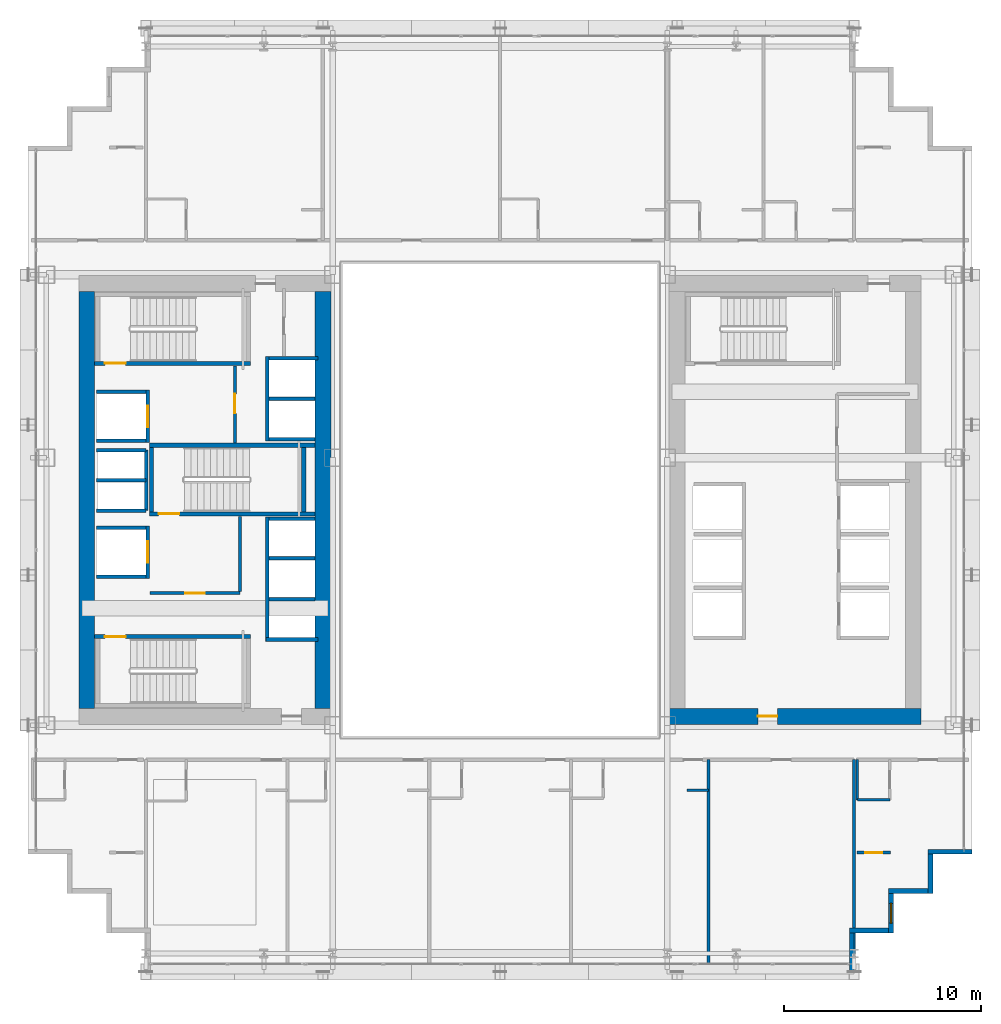
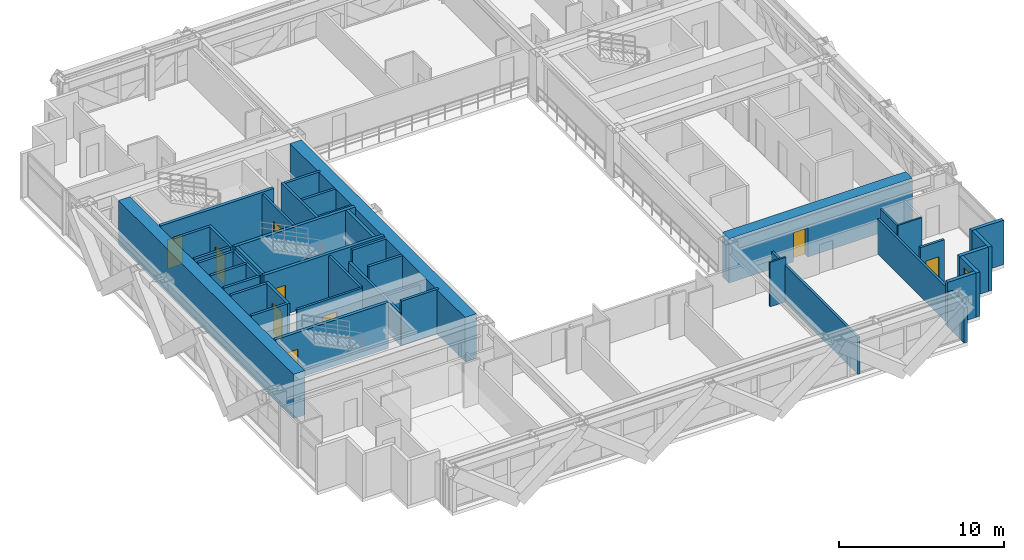
# One storey, part 28 of 35: 43 walls, 9 doors, 1 window, 10 openings.
"""IFC4 building model written with IfcOpenShell, lengths in metres."""

import ifcopenshell
import ifcopenshell.guid

model = None  # the IFC model being written
_history = None  # IfcOwnerHistory: only IFC2X3 demands one
_inside = {}  # id of a spatial element -> (the spatial element, [elements in it])
_under = {}  # id of a project, library or spatial element -> (it, [spatial elements below it])
_declared = {}  # id of a project -> (the project, [libraries it declares])
_typed = {}  # id of a type object -> (the type object, [elements of that type])
_made_of = {}  # id of a material, layer set ... -> (it, [elements and type objects made of it])


def new_model(schema):
    """Start an empty IFC model of exactly this schema.

    Asked for "IFC4X3", IfcOpenShell would pick the latest addendum, in which some entities
    have other attributes; the version numbers below select the first issue.
    IFC2X3 requires an IfcOwnerHistory on every rooted entity: one is made here for all.
    """
    global model, _history
    if schema == "IFC4X3":
        model = ifcopenshell.file(schema_version=(4, 3, 0, 0))
    else:
        model = ifcopenshell.file(schema=schema)
    _inside.clear()
    _under.clear()
    _declared.clear()
    _typed.clear()
    _made_of.clear()
    _history = None
    if model.schema == "IFC2X3":
        org = make("IfcOrganization", Name="unknown")
        user = make(
            "IfcPersonAndOrganization",
            ThePerson=make("IfcPerson", FamilyName="unknown"),
            TheOrganization=org,
        )
        app = make(
            "IfcApplication",
            ApplicationDeveloper=org,
            Version="unknown",
            ApplicationFullName="unknown",
            ApplicationIdentifier="unknown",
        )
        _history = make(
            "IfcOwnerHistory",
            OwningUser=user,
            OwningApplication=app,
            ChangeAction="ADDED",
            CreationDate=0,
        )
    return model


def make(cls, **values):
    """One entity of the class cls with the attributes given. An attribute that is None is left unset."""
    return model.create_entity(
        cls, **{name: value for name, value in values.items() if value is not None}
    )


def rooted(cls, **values):
    """An entity with a GlobalId (a new one), such as an element, a storey or a relation."""
    return make(cls, GlobalId=ifcopenshell.guid.new(), OwnerHistory=_history, **values)


def si_unit(unit_type, name, prefix=None):
    """IfcSIUnit, for example si_unit("LENGTHUNIT", "METRE", prefix="MILLI")."""
    return make("IfcSIUnit", UnitType=unit_type, Prefix=prefix, Name=name)


def assignment(units):
    """IfcUnitAssignment: the units of a project."""
    return None if units is None else make("IfcUnitAssignment", Units=units)


def point(xyz):
    """IfcCartesianPoint."""
    return None if xyz is None else make("IfcCartesianPoint", Coordinates=xyz)


def direction(xyz):
    """IfcDirection."""
    return None if xyz is None else make("IfcDirection", DirectionRatios=xyz)


def frame(location, z_axis=None, x_axis=None):
    """IfcAxis2Placement3D, a coordinate frame: its origin and axes. An axis left out is left unset."""
    return make(
        "IfcAxis2Placement3D",
        Location=point(location),
        Axis=direction(z_axis),
        RefDirection=direction(x_axis),
    )


def frame_2d(location, x_axis=None):
    """IfcAxis2Placement2D, a coordinate frame in the plane: its origin and x axis."""
    return make(
        "IfcAxis2Placement2D", Location=point(location), RefDirection=direction(x_axis)
    )


def origin():
    """The frame at (0, 0, 0) with its axes left unset."""
    return frame((0.0, 0.0, 0.0))


def place(relative_to, where):
    """IfcLocalPlacement: puts the frame where relative to a parent placement (None: the world)."""
    return make(
        "IfcLocalPlacement", PlacementRelTo=relative_to, RelativePlacement=where
    )


def context(
    kind, dimensions, precision=None, world=None, true_north=None, identifier=None
):
    """IfcGeometricRepresentationContext, for example the 3D "Model" context."""
    return make(
        "IfcGeometricRepresentationContext",
        ContextIdentifier=identifier,
        ContextType=kind,
        CoordinateSpaceDimension=dimensions,
        Precision=precision,
        WorldCoordinateSystem=world,
        TrueNorth=true_north,
    )


def subcontext(parent, identifier, kind, view, scale=None):
    """IfcGeometricRepresentationSubContext, for example "Body" below "Model"."""
    return make(
        "IfcGeometricRepresentationSubContext",
        ContextIdentifier=identifier,
        ContextType=kind,
        ParentContext=parent,
        TargetScale=scale,
        TargetView=view,
    )


def project(units=None, contexts=None):
    """IfcProject with its units and contexts."""
    return rooted(
        "IfcProject",
        Name="project",
        RepresentationContexts=contexts,
        UnitsInContext=assignment(units),
    )


def spatial(cls, under=None, at=None, **own):
    """A site, building, storey or space (cls), placed at a placement, below another one or the project."""
    s = rooted(cls, ObjectPlacement=at, **own)
    if under is not None:
        _under.setdefault(under.id(), (under, []))[1].append(s)
    return s


def profile(cls, at=None, kind="AREA", **sizes):
    """A parametric profile (cls). Its sizes go by their IFC names, for example OverallWidth=200.0."""
    return make(cls, ProfileType=kind, Position=at, **sizes)


def rectangle(**sizes):
    """IfcRectangleProfileDef."""
    return profile("IfcRectangleProfileDef", **sizes)


def extrude(swept, where, along, depth):
    """IfcExtrudedAreaSolid: the profile swept, set in the frame where, extruded along a direction by depth."""
    return make(
        "IfcExtrudedAreaSolid",
        SweptArea=swept,
        Position=where,
        ExtrudedDirection=direction(along),
        Depth=depth,
    )


def shape(context_of_items, identifier, shape_type, items):
    """IfcShapeRepresentation: the items that make up one representation, for example the "Body"."""
    return make(
        "IfcShapeRepresentation",
        ContextOfItems=context_of_items,
        RepresentationIdentifier=identifier,
        RepresentationType=shape_type,
        Items=items,
    )


def source(mapping_origin, context_of_items, identifier, shape_type, items):
    """IfcRepresentationMap: a shape defined once, which mapped items show again and again."""
    return make(
        "IfcRepresentationMap",
        MappingOrigin=mapping_origin,
        MappedRepresentation=shape(context_of_items, identifier, shape_type, items),
    )


def transform(
    local_origin,
    x_axis=None,
    y_axis=None,
    z_axis=None,
    scale=None,
    scale2=None,
    scale3=None,
    uniform=True,
):
    """IfcCartesianTransformationOperator3D, or its non-uniform kind. x_axis, y_axis, z_axis: its Axis1, 2, 3."""
    if uniform:
        return make(
            "IfcCartesianTransformationOperator3D",
            Axis1=direction(x_axis),
            Axis2=direction(y_axis),
            LocalOrigin=point(local_origin),
            Scale=scale,
            Axis3=direction(z_axis),
        )
    return make(
        "IfcCartesianTransformationOperator3DnonUniform",
        Axis1=direction(x_axis),
        Axis2=direction(y_axis),
        LocalOrigin=point(local_origin),
        Scale=scale,
        Axis3=direction(z_axis),
        Scale2=scale2,
        Scale3=scale3,
    )


def mapped(mapping_source, mapping_target):
    """IfcMappedItem: shows the shape of a source again, moved by a transform."""
    return make(
        "IfcMappedItem", MappingSource=mapping_source, MappingTarget=mapping_target
    )


def material(Name=None, Category=None):
    """IfcMaterial."""
    return make("IfcMaterial", Name=Name, Category=Category)


def layer(
    of_material, thickness, ventilated=None, Name=None, Category=None, Priority=None
):
    """IfcMaterialLayer: one layer of a wall or slab, of a material (None: an air gap)."""
    return make(
        "IfcMaterialLayer",
        Material=of_material,
        LayerThickness=thickness,
        IsVentilated=ventilated,
        Name=Name,
        Category=Category,
        Priority=Priority,
    )


def layer_set(layers, Name=None):
    """IfcMaterialLayerSet."""
    return make("IfcMaterialLayerSet", MaterialLayers=layers, LayerSetName=Name)


def made_of(thing, what):
    """Note that an element or type object is made of a material, layer set ...; save() writes the relation."""
    if what is not None:
        _made_of.setdefault(what.id(), (what, []))[1].append(thing)
    return thing


def type_object(cls, material=None, **own):
    """A type object (cls), such as IfcWallType, which elements share."""
    return made_of(rooted(cls, **own), material)


def element(
    cls,
    number,
    at=None,
    inside=None,
    cuts=None,
    type_object=None,
    material=None,
    context=None,
    identifier="Body",
    shape_type=None,
    held_by="IfcProductDefinitionShape",
    body=None,
    shapes=None,
    **own,
):
    """One element of the class cls, such as IfcWall. Its Tag is "e" and its number.

    at: its placement. inside: the storey or other place that contains it. cuts: it is an
    opening in that element (IfcRelVoidsElement). A single representation is given by context,
    identifier, shape_type and body (its items); several are given by shapes. held_by: the class
    of the entity that holds the representations. save() writes the other relations.
    """
    e = rooted(cls, Tag="e%d" % number, ObjectPlacement=at, **own)
    if body is not None:
        shapes = [shape(context, identifier, shape_type, body)]
    if shapes is not None:
        e.Representation = make(held_by, Representations=shapes)
    if inside is not None:
        _inside.setdefault(inside.id(), (inside, []))[1].append(e)
    if cuts is not None:
        rooted(
            "IfcRelVoidsElement", RelatingBuildingElement=cuts, RelatedOpeningElement=e
        )
    if type_object is not None:
        _typed.setdefault(type_object.id(), (type_object, []))[1].append(e)
    return made_of(e, material)


def fill(opening, filler):
    """IfcRelFillsElement: the door or window that sits in an opening."""
    return rooted(
        "IfcRelFillsElement",
        RelatingOpeningElement=opening,
        RelatedBuildingElement=filler,
    )


def aggregate(whole, parts):
    """IfcRelAggregates: a whole, such as a stair, and the parts it consists of."""
    return rooted("IfcRelAggregates", RelatingObject=whole, RelatedObjects=parts)


def save(model, path):
    """Write the relations noted so far, then the file.

    IfcRelAggregates (storeys below a building ...), IfcRelContainedInSpatialStructure (elements
    in a storey), IfcRelDefinesByType, IfcRelAssociatesMaterial and IfcRelDeclares: one each for
    every whole, place, type object, material and project.
    """
    for whole, parts in _under.values():
        aggregate(whole, parts)
    for where, things in _inside.values():
        rooted(
            "IfcRelContainedInSpatialStructure",
            RelatedElements=things,
            RelatingStructure=where,
        )
    for kind, things in _typed.values():
        rooted("IfcRelDefinesByType", RelatedObjects=things, RelatingType=kind)
    for what, things in _made_of.values():
        rooted("IfcRelAssociatesMaterial", RelatedObjects=things, RelatingMaterial=what)
    for by, libraries in _declared.values():
        rooted("IfcRelDeclares", RelatingContext=by, RelatedDefinitions=libraries)
    model.write(path)


model = new_model("IFC4")

# Units and contexts
model_context = context("Model", 3, precision=1e-05, world=origin(), true_north=direction((0.0, 1.0)))
body_context = subcontext(model_context, "Body", "Model", "MODEL_VIEW")
ifc_project = project(units=[si_unit("LENGTHUNIT", "METRE"), si_unit("AREAUNIT", "SQUARE_METRE"), si_unit("VOLUMEUNIT", "CUBIC_METRE"), si_unit("PLANEANGLEUNIT", "RADIAN"), si_unit("MASSUNIT", "GRAM", prefix="KILO")], contexts=[model_context])

# Site, building, storey
site_placement = place(None, origin())
site = spatial("IfcSite", under=ifc_project, at=site_placement, CompositionType="ELEMENT")
building_placement = place(site_placement, origin())
building = spatial("IfcBuilding", under=site, at=building_placement, Name="Ocotamira Hotel", CompositionType="ELEMENT")
storey_placement = place(building_placement, frame((0.0, 0.0, 81.60009765625)))
storey = spatial("IfcBuildingStorey", under=building, at=storey_placement, Name="L20", CompositionType="ELEMENT", Elevation=81.60009765625)

# Walls
ifc_material_1 = material(Name="Concrete C60/75", Category="concrete")
ifc_layer_1 = layer(ifc_material_1, 0.800048828125)
ifc_layer_set_1 = layer_set([ifc_layer_1], Name="Concrete C60/75")
wall_type_1 = type_object("IfcWallType", Name="WL-CORE-800", PredefinedType="SHEAR", material=ifc_layer_set_1)
for number, where, z_axis, x_axis, name in (
    (1, (11.0, 15.39990234375, 0.0), (0.0, 0.0, 1.0), (0.0, 1.0, 0.0), "L20 Shear Core Wall WCORE-W"),
    (2, (23.0, 15.39990234375, 0.0), (0.0, 0.0, 1.0), (0.0, 1.0, 0.0), "L20 Shear Core Wall WCORE-E"),
):
    element("IfcWall", number, at=place(storey_placement, frame(where, z_axis=z_axis, x_axis=x_axis)), inside=storey, type_object=wall_type_1, Name=name, PredefinedType="SHEAR", context=body_context, shape_type="SweptSolid", body=[
        extrude(rectangle(XDim=21.2001953125, YDim=0.800048828125, at=frame_2d((10.60009765625, 0.0))), origin(), (0.0, 0.0, 1.0), 3.27978515625),
    ])

# Wall, opening, door
wall_1_placement = place(storey_placement, frame((40.60009765625, 15.0, 0.0), z_axis=(0.0, 0.0, 1.0), x_axis=(1.0, 0.0, 0.0)))
wall_1 = element("IfcWall", 3, at=wall_1_placement, inside=storey, type_object=wall_type_1, Name="L20 Shear Core Wall ECORE-S", PredefinedType="SHEAR", context=body_context, shape_type="SweptSolid", body=[
    extrude(rectangle(XDim=12.7998046875, YDim=0.800048828125, at=frame_2d((6.39990234375, 0.0))), origin(), (0.0, 0.0, 1.0), 3.27978515625),
])
opening_1_placement = place(wall_1_placement, frame((4.5, 0.0, 0.0)))
opening_1 = element("IfcOpeningElement", 4, at=opening_1_placement, cuts=wall_1, Name="Opening D-FR2", PredefinedType="OPENING", context=body_context, shape_type="SweptSolid", body=[
    extrude(rectangle(XDim=1.0, YDim=2.14990234375, at=frame_2d((0.5, 1.074951171875))), frame((0.0, 0.41015625, 0.0), z_axis=(0.0, -1.0, 0.0), x_axis=(1.0, 0.0, 0.0)), (0.0, 0.0, 1.0), 0.820068359375),
])
ifc_material_2 = material(Name="Fire-rated acoustic timber-veneer door", Category="wood")
door_type_1 = type_object("IfcDoorType", Name="DR-FIRE-1000", OperationType="NOTDEFINED", PredefinedType="DOOR", material=ifc_material_2)
shared_shape_1 = source(origin(), body_context, "Body", "SweptSolid", [
    extrude(rectangle(XDim=1.0, YDim=2.14990234375, at=frame_2d((0.5, 1.074951171875))), frame((0.0, 0.02490234375, 0.0), z_axis=(0.0, -1.0, 0.0), x_axis=(1.0, 0.0, 0.0)), (0.0, 0.0, 1.0), 0.050048828125),
])
door_1_placement = place(opening_1_placement, origin())
door_1 = element("IfcDoor", 5, at=door_1_placement, inside=storey, type_object=door_type_1, Name="L20 Door ID-L20-ELOB-S-D [ID-L20-ELOB-S-D]", OperationType="SINGLE_SWING_RIGHT", OverallHeight=2.14990234375, OverallWidth=1.0, PredefinedType="DOOR", context=body_context, shape_type="MappedRepresentation", body=[
    mapped(shared_shape_1, transform((0.0, 0.0, 0.0), scale=1.0)),
])
fill(opening_1, door_1)

# Walls
ifc_material_3 = material(Name="Precast concrete C45/55", Category="concrete")
ifc_layer_2 = layer(ifc_material_3, 0.25)
ifc_layer_set_2 = layer_set([ifc_layer_2], Name="Precast concrete C45/55")
wall_type_2 = type_object("IfcWallType", Name="WL-EXT-SER-250", PredefinedType="SOLIDWALL", material=ifc_layer_set_2)
wall_2_placement = place(storey_placement, frame((49.875, 2.0, 0.0), z_axis=(0.0, 0.0, 1.0), x_axis=(0.0, 1.0, 0.0)))
element("IfcWall", 6, at=wall_2_placement, inside=storey, type_object=wall_type_2, Name="L20 Serrated Corner Wall 01", PredefinedType="SOLIDWALL", context=body_context, shape_type="SweptSolid", body=[
    extrude(rectangle(XDim=2.0, YDim=0.25, at=frame_2d((1.0, 0.0))), origin(), (0.0, 0.0, 1.0), 2.5869140625),
])
wall_3_placement = place(storey_placement, frame((49.75, 4.125, 0.0), z_axis=(0.0, 0.0, 1.0), x_axis=(1.0, 0.0, 0.0)))
element("IfcWall", 7, at=wall_3_placement, inside=storey, type_object=wall_type_2, Name="L20 Serrated Corner Wall 02", PredefinedType="SOLIDWALL", context=body_context, shape_type="SweptSolid", body=[
    extrude(rectangle(XDim=2.0, YDim=0.25, at=frame_2d((1.0, 0.0))), origin(), (0.0, 0.0, 1.0), 3.27978515625),
])

# Wall, opening, window
wall_4_placement = place(storey_placement, frame((51.875, 4.0, 0.0), z_axis=(0.0, 0.0, 1.0), x_axis=(0.0, 1.0, 0.0)))
wall_4 = element("IfcWall", 8, at=wall_4_placement, inside=storey, type_object=wall_type_2, Name="L20 Serrated Corner Wall 03", PredefinedType="SOLIDWALL", context=body_context, shape_type="SweptSolid", body=[
    extrude(rectangle(XDim=2.0, YDim=0.25, at=frame_2d((1.0, 0.0))), origin(), (0.0, 0.0, 1.0), 3.27978515625),
])
opening_2_placement = place(wall_4_placement, frame((0.5, 0.0, 0.85009765625)))
opening_2 = element("IfcOpeningElement", 9, at=opening_2_placement, cuts=wall_4, Name="Opening WN-2", PredefinedType="OPENING", context=body_context, shape_type="SweptSolid", body=[
    extrude(rectangle(XDim=1.0, YDim=1.89990234375, at=frame_2d((0.5, 0.949951171875))), frame((0.0, 0.135009765625, 0.0), z_axis=(0.0, -1.0, 0.0), x_axis=(1.0, 0.0, 0.0)), (0.0, 0.0, 1.0), 0.27001953125),
])
ifc_material_4 = material(Name="Double-silver low-E solar glass", Category="glass")
window_type = type_object("IfcWindowType", Name="WIN-SER-1100", PartitioningType="SINGLE_PANEL", PredefinedType="WINDOW", material=ifc_material_4)
shared_shape_2 = source(origin(), body_context, "Body", "SweptSolid", [
    extrude(rectangle(XDim=1.0, YDim=1.89990234375, at=frame_2d((0.5, 0.949951171875))), frame((0.0, 0.030029296875, 0.0), z_axis=(0.0, -1.0, 0.0), x_axis=(1.0, 0.0, 0.0)), (0.0, 0.0, 1.0), 0.06005859375),
])
window_placement = place(opening_2_placement, origin())
window = element("IfcWindow", 10, at=window_placement, inside=storey, type_object=window_type, Name="L20 Serrated Corner Window 03", OverallHeight=1.89990234375, OverallWidth=1.0, PartitioningType="SINGLE_PANEL", PredefinedType="WINDOW", context=body_context, shape_type="MappedRepresentation", body=[
    mapped(shared_shape_2, transform((0.0, 0.0, 0.0), scale=1.0)),
])
fill(opening_2, window)

# Walls
for number, where, z_axis, x_axis, name in (
    (11, (51.75, 6.125, 0.0), (0.0, 0.0, 1.0), (1.0, 0.0, 0.0), "L20 Serrated Corner Wall 04"),
    (12, (53.875, 6.0, 0.0), (0.0, 0.0, 1.0), (0.0, 1.0, 0.0), "L20 Serrated Corner Wall 05"),
):
    element("IfcWall", number, at=place(storey_placement, frame(where, z_axis=z_axis, x_axis=x_axis)), inside=storey, type_object=wall_type_2, Name=name, PredefinedType="SOLIDWALL", context=body_context, shape_type="SweptSolid", body=[
        extrude(rectangle(XDim=2.0, YDim=0.25, at=frame_2d((1.0, 0.0))), origin(), (0.0, 0.0, 1.0), 3.27978515625),
    ])
wall_5_placement = place(storey_placement, frame((53.75, 8.125, 0.0), z_axis=(0.0, 0.0, 1.0), x_axis=(1.0, 0.0, 0.0)))
element("IfcWall", 13, at=wall_5_placement, inside=storey, type_object=wall_type_2, Name="L20 Serrated Corner Wall 06", PredefinedType="SOLIDWALL", context=body_context, shape_type="SweptSolid", body=[
    extrude(rectangle(XDim=2.25, YDim=0.25, at=frame_2d((1.125, 0.0))), origin(), (0.0, 0.0, 1.0), 3.27978515625),
])

# Wall, opening, door
ifc_material_5 = material(Name="Acoustic double-layer fire gypsum board partition", Category="gypsum")
ifc_layer_3 = layer(ifc_material_5, 0.159912109375)
ifc_layer_set_3 = layer_set([ifc_layer_3], Name="Acoustic double-layer fire gypsum board partition")
wall_type_3 = type_object("IfcWallType", Name="WL-FIRE-160", PredefinedType="PARTITIONING", material=ifc_layer_set_3)
wall_6_placement = place(storey_placement, frame((14.199951171875, 21.27001953125, 0.0), z_axis=(0.0, 0.0, 1.0), x_axis=(1.0, 0.0, 0.0)))
wall_6 = element("IfcWall", 14, at=wall_6_placement, inside=storey, type_object=wall_type_3, Name="L20 Interior Wall PW-L20-FSAE1-S", PredefinedType="PARTITIONING", context=body_context, shape_type="SweptSolid", body=[
    extrude(rectangle(XDim=4.580078125, YDim=0.159912109375, at=frame_2d((2.2900390625, 0.0))), origin(), (0.0, 0.0, 1.0), 3.27978515625),
])
opening_3_placement = place(wall_6_placement, frame((1.800048828125, 0.0, 0.0)))
opening_3 = element("IfcOpeningElement", 15, at=opening_3_placement, cuts=wall_6, Name="Opening D-FR2", PredefinedType="OPENING", context=body_context, shape_type="SweptSolid", body=[
    extrude(rectangle(XDim=1.0, YDim=2.14990234375, at=frame_2d((0.5, 1.074951171875))), frame((0.0, 0.08984375, 0.0), z_axis=(0.0, -1.0, 0.0), x_axis=(1.0, 0.0, 0.0)), (0.0, 0.0, 1.0), 0.179931640625),
])
door_2_placement = place(opening_3_placement, origin())
door_2 = element("IfcDoor", 16, at=door_2_placement, inside=storey, type_object=door_type_1, Name="L20 Door ID-L20-FSAE1-D [ID-L20-FSAE1-D]", OperationType="SINGLE_SWING_LEFT", OverallHeight=2.14990234375, OverallWidth=1.0, PredefinedType="DOOR", context=body_context, shape_type="MappedRepresentation", body=[
    mapped(shared_shape_1, transform((0.0, 0.0, 0.0), scale=1.0)),
])
fill(opening_3, door_2)

# Wall
wall_7_placement = place(storey_placement, frame((18.780029296875, 21.35009765625, 0.0), z_axis=(0.0, 0.0, 1.0), x_axis=(0.0, 1.0, 0.0)))
element("IfcWall", 17, at=wall_7_placement, inside=storey, type_object=wall_type_3, Name="L20 Interior Wall PW-L20-FSAE1-E", PredefinedType="PARTITIONING", context=body_context, shape_type="SweptSolid", body=[
    extrude(rectangle(XDim=3.809814453125, YDim=0.159912109375, at=frame_2d((1.90478515625, 0.0))), origin(), (0.0, 0.0, 1.0), 3.27978515625),
])

# Wall, opening, door
wall_8_placement = place(storey_placement, frame((18.530029296875, 28.89990234375, 0.0), z_axis=(0.0, 0.0, 1.0), x_axis=(0.0, 1.0, 0.0)))
wall_8 = element("IfcWall", 18, at=wall_8_placement, inside=storey, type_object=wall_type_3, Name="L20 Interior Wall PW-L20-FSAE2-E", PredefinedType="PARTITIONING", context=body_context, shape_type="SweptSolid", body=[
    extrude(rectangle(XDim=3.900146484375, YDim=0.159912109375, at=frame_2d((1.9501953125, 0.0))), origin(), (0.0, 0.0, 1.0), 3.27978515625),
])
opening_4_placement = place(wall_8_placement, frame((1.5, 0.0, 0.0)))
opening_4 = element("IfcOpeningElement", 19, at=opening_4_placement, cuts=wall_8, Name="Opening D-FR2", PredefinedType="OPENING", context=body_context, shape_type="SweptSolid", body=[
    extrude(rectangle(XDim=1.0, YDim=2.14990234375, at=frame_2d((0.5, 1.074951171875))), frame((0.0, 0.08984375, 0.0), z_axis=(0.0, -1.0, 0.0), x_axis=(1.0, 0.0, 0.0)), (0.0, 0.0, 1.0), 0.179931640625),
])
door_3_placement = place(opening_4_placement, origin())
door_3 = element("IfcDoor", 20, at=door_3_placement, inside=storey, type_object=door_type_1, Name="L20 Door ID-L20-FSAE2-D [ID-L20-FSAE2-D]", OperationType="SINGLE_SWING_RIGHT", OverallHeight=2.14990234375, OverallWidth=1.0, PredefinedType="DOOR", context=body_context, shape_type="MappedRepresentation", body=[
    mapped(shared_shape_1, transform((0.0, 0.0, 0.0), scale=1.0)),
])
fill(opening_4, door_3)

wall_9_placement = place(storey_placement, frame((50.14990234375, 8.080078125, 0.0), z_axis=(0.0, 0.0, 1.0), x_axis=(1.0, 0.0, 0.0)))
wall_9 = element("IfcWall", 21, at=wall_9_placement, inside=storey, type_object=wall_type_3, Name="L20 Interior Wall PW-L20-Z1E-CSE2-CW", PredefinedType="PARTITIONING", context=body_context, shape_type="SweptSolid", body=[
    extrude(rectangle(XDim=1.7001953125, YDim=0.159912109375, at=frame_2d((0.85009765625, 0.0))), origin(), (0.0, 0.0, 1.0), 3.27978515625),
])
opening_5_placement = place(wall_9_placement, frame((0.409912109375, 0.0, 0.0)))
opening_5 = element("IfcOpeningElement", 22, at=opening_5_placement, cuts=wall_9, Name="Opening D-SV2", PredefinedType="OPENING", context=body_context, shape_type="SweptSolid", body=[
    extrude(rectangle(XDim=0.8798828125, YDim=2.14990234375, at=frame_2d((0.43994140625, 1.074951171875))), frame((0.0, 0.08984375, 0.0), z_axis=(0.0, -1.0, 0.0), x_axis=(1.0, 0.0, 0.0)), (0.0, 0.0, 1.0), 0.179931640625),
])
ifc_material_6 = material(Name="Fire-rated painted steel service door", Category="steel")
door_type_2 = type_object("IfcDoorType", Name="DR-SERV-880", OperationType="NOTDEFINED", PredefinedType="DOOR", material=ifc_material_6)
shared_shape_3 = source(origin(), body_context, "Body", "SweptSolid", [
    extrude(rectangle(XDim=0.8798828125, YDim=2.14990234375, at=frame_2d((0.43994140625, 1.074951171875))), frame((0.0, 0.02490234375, 0.0), z_axis=(0.0, -1.0, 0.0), x_axis=(1.0, 0.0, 0.0)), (0.0, 0.0, 1.0), 0.050048828125),
])
door_4_placement = place(opening_5_placement, origin())
door_4 = element("IfcDoor", 23, at=door_4_placement, inside=storey, type_object=door_type_2, Name="L20 Door ID-L20-Z1E-CSE2-CD [ID-L20-Z1E-CSE2-CD]", OperationType="SINGLE_SWING_LEFT", OverallHeight=2.14990234375, OverallWidth=0.8798828125, PredefinedType="DOOR", context=body_context, shape_type="MappedRepresentation", body=[
    mapped(shared_shape_3, transform((0.0, 0.0, 0.0), scale=1.0)),
])
fill(opening_5, door_4)

# Walls
ifc_material_7 = material(Name="Moisture-resistant en-suite tile and gypsum partition", Category="gypsum")
ifc_layer_4 = layer(ifc_material_7, 0.1201171875)
ifc_layer_set_4 = layer_set([ifc_layer_4], Name="Moisture-resistant en-suite tile and gypsum partition")
wall_type_4 = type_object("IfcWallType", Name="WL-PART-120", PredefinedType="PARTITIONING", material=ifc_layer_set_4)
wall_10_placement = place(storey_placement, frame((50.159912109375, 10.760009765625, 0.0), z_axis=(0.0, 0.0, 1.0), x_axis=(0.0, 1.0, 0.0)))
element("IfcWall", 24, at=wall_10_placement, inside=storey, type_object=wall_type_4, Name="L20 Interior Wall PW-L20-Z1E-CSE-BW", PredefinedType="PARTITIONING", context=body_context, shape_type="SweptSolid", body=[
    extrude(rectangle(XDim=2.0400390625, YDim=0.1201171875, at=frame_2d((1.02001953125, 0.0))), origin(), (0.0, 0.0, 1.0), 3.27978515625),
])
wall_11_placement = place(storey_placement, frame((50.159912109375, 10.760009765625, 0.0), z_axis=(0.0, 0.0, 1.0), x_axis=(1.0, 0.0, 0.0)))
element("IfcWall", 25, at=wall_11_placement, inside=storey, type_object=wall_type_4, Name="L20 Interior Wall PW-L20-Z1E-CSE-BH", PredefinedType="PARTITIONING", context=body_context, shape_type="SweptSolid", body=[
    extrude(rectangle(XDim=1.650146484375, YDim=0.1201171875, at=frame_2d((0.8251953125, 0.0))), origin(), (0.0, 0.0, 1.0), 3.27978515625),
])
wall_12_placement = place(storey_placement, frame((41.5, 11.25, 0.0), z_axis=(0.0, 0.0, 1.0), x_axis=(1.0, 0.0, 0.0)))
element("IfcWall", 26, at=wall_12_placement, inside=storey, type_object=wall_type_4, Name="L20 Interior Wall PW-L20-Z1ES-DRN4", PredefinedType="PARTITIONING", context=body_context, shape_type="SweptSolid", body=[
    extrude(rectangle(XDim=1.10009765625, YDim=0.1201171875, at=frame_2d((0.550048828125, 0.0))), origin(), (0.0, 0.0, 1.0), 3.27978515625),
])
ifc_material_8 = material(Name="Acoustic double-stud hospitality gypsum partition", Category="gypsum")
ifc_layer_5 = layer(ifc_material_8, 0.159912109375)
ifc_layer_set_5 = layer_set([ifc_layer_5], Name="Acoustic double-stud hospitality gypsum partition")
wall_type_5 = type_object("IfcWallType", Name="WL-PART-160", PredefinedType="PARTITIONING", material=ifc_layer_set_5)
wall_13_placement = place(storey_placement, frame((50.0, 2.360107421875, 0.0), z_axis=(0.0, 0.0, 1.0), x_axis=(0.0, 1.0, 0.0)))
element("IfcWall", 27, at=wall_13_placement, inside=storey, type_object=wall_type_5, Name="L20 Interior Wall PW-L20-Z1ES-PWEND", PredefinedType="PARTITIONING", context=body_context, shape_type="SweptSolid", body=[
    extrude(rectangle(XDim=10.43994140625, YDim=0.159912109375, at=frame_2d((5.219970703125, 0.0))), origin(), (0.0, 0.0, 1.0), 2.5869140625),
])
wall_14_placement = place(storey_placement, frame((42.60009765625, 2.360107421875, 0.0), z_axis=(0.0, 0.0, 1.0), x_axis=(0.0, 1.0, 0.0)))
element("IfcWall", 28, at=wall_14_placement, inside=storey, type_object=wall_type_5, Name="L20 Interior Wall PW-L20-Z1ES-PW4", PredefinedType="PARTITIONING", context=body_context, shape_type="SweptSolid", body=[
    extrude(rectangle(XDim=10.43994140625, YDim=0.159912109375, at=frame_2d((5.219970703125, 0.0))), origin(), (0.0, 0.0, 1.0), 2.742919921875),
])
ifc_material_9 = material(Name="Fire-rated gypsum shaftliner board assembly", Category="gypsum")
ifc_layer_6 = layer(ifc_material_9, 0.179931640625)
ifc_layer_set_6 = layer_set([ifc_layer_6], Name="Fire-rated gypsum shaftliner board assembly")
wall_type_6 = type_object("IfcWallType", Name="WL-SHAFT-180", PredefinedType="SOLIDWALL", material=ifc_layer_set_6)
wall_15_placement = place(storey_placement, frame((20.159912109375, 18.820068359375, 0.0), z_axis=(0.0, 0.0, 1.0), x_axis=(0.0, 1.0, 0.0)))
element("IfcWall", 29, at=wall_15_placement, inside=storey, type_object=wall_type_6, Name="L20 Interior Wall PW-L20-LFW-BANK-high-F", PredefinedType="SOLIDWALL", context=body_context, shape_type="SweptSolid", body=[
    extrude(rectangle(XDim=6.31982421875, YDim=0.179931640625, at=frame_2d((3.159912109375, 0.0))), origin(), (0.0, 0.0, 1.0), 2.35986328125),
])
wall_16_placement = place(storey_placement, frame((20.1201171875, 18.909912109375, 0.0), z_axis=(0.0, 0.0, 1.0), x_axis=(1.0, 0.0, 0.0)))
element("IfcWall", 30, at=wall_16_placement, inside=storey, type_object=wall_type_6, Name="L20 Interior Wall PW-L20-LFW-BANK-high-S", PredefinedType="SOLIDWALL", context=body_context, shape_type="SweptSolid", body=[
    extrude(rectangle(XDim=2.6298828125, YDim=0.179931640625, at=frame_2d((1.31494140625, 0.0))), origin(), (0.0, 0.0, 1.0), 3.27978515625),
])
wall_17_placement = place(storey_placement, frame((20.25, 25.050048828125, 0.0), z_axis=(0.0, 0.0, 1.0), x_axis=(1.0, 0.0, 0.0)))
element("IfcWall", 31, at=wall_17_placement, inside=storey, type_object=wall_type_6, Name="L20 Interior Wall PW-L20-LFW-BANK-high-N", PredefinedType="SOLIDWALL", context=body_context, shape_type="SweptSolid", body=[
    extrude(rectangle(XDim=2.360107421875, YDim=0.179931640625, at=frame_2d((1.18017578125, 0.0))), origin(), (0.0, 0.0, 1.0), 3.27978515625),
])
wall_18_placement = place(storey_placement, frame((20.25, 20.965087890625, 0.0), z_axis=(0.0, 0.0, 1.0), x_axis=(1.0, 0.0, 0.0)))
element("IfcWall", 32, at=wall_18_placement, inside=storey, type_object=wall_type_6, Name="L20 Interior Wall PW-L20-LFW-DIV-LF-P7", PredefinedType="SOLIDWALL", context=body_context, shape_type="SweptSolid", body=[
    extrude(rectangle(XDim=2.360107421875, YDim=0.179931640625, at=frame_2d((1.18017578125, 0.0))), origin(), (0.0, 0.0, 1.0), 2.35986328125),
])
wall_19_placement = place(storey_placement, frame((20.25, 23.044921875, 0.0), z_axis=(0.0, 0.0, 1.0), x_axis=(1.0, 0.0, 0.0)))
element("IfcWall", 33, at=wall_19_placement, inside=storey, type_object=wall_type_6, Name="L20 Interior Wall PW-L20-LFW-DIV-LF-P8", PredefinedType="SOLIDWALL", context=body_context, shape_type="SweptSolid", body=[
    extrude(rectangle(XDim=2.360107421875, YDim=0.179931640625, at=frame_2d((1.18017578125, 0.0))), origin(), (0.0, 0.0, 1.0), 3.27978515625),
])
wall_20_placement = place(storey_placement, frame((20.159912109375, 29.0, 0.0), z_axis=(0.0, 0.0, 1.0), x_axis=(0.0, 1.0, 0.0)))
element("IfcWall", 34, at=wall_20_placement, inside=storey, type_object=wall_type_6, Name="L20 Interior Wall PW-L20-LFW-BANK-obs-F", PredefinedType="SOLIDWALL", context=body_context, shape_type="SweptSolid", body=[
    extrude(rectangle(XDim=4.2900390625, YDim=0.179931640625, at=frame_2d((2.14501953125, 0.0))), origin(), (0.0, 0.0, 1.0), 3.27978515625),
])
wall_21_placement = place(storey_placement, frame((20.25, 29.090087890625, 0.0), z_axis=(0.0, 0.0, 1.0), x_axis=(1.0, 0.0, 0.0)))
element("IfcWall", 35, at=wall_21_placement, inside=storey, type_object=wall_type_6, Name="L20 Interior Wall PW-L20-LFW-BANK-obs-S", PredefinedType="SOLIDWALL", context=body_context, shape_type="SweptSolid", body=[
    extrude(rectangle(XDim=2.360107421875, YDim=0.179931640625, at=frame_2d((1.18017578125, 0.0))), origin(), (0.0, 0.0, 1.0), 3.27978515625),
])
wall_22_placement = place(storey_placement, frame((20.25, 33.199951171875, 0.0), z_axis=(0.0, 0.0, 1.0), x_axis=(1.0, 0.0, 0.0)))
element("IfcWall", 36, at=wall_22_placement, inside=storey, type_object=wall_type_6, Name="L20 Interior Wall PW-L20-LFW-BANK-obs-N", PredefinedType="SOLIDWALL", context=body_context, shape_type="SweptSolid", body=[
    extrude(rectangle(XDim=2.5, YDim=0.179931640625, at=frame_2d((1.25, 0.0))), origin(), (0.0, 0.0, 1.0), 3.27978515625),
])
wall_23_placement = place(storey_placement, frame((20.25, 31.14501953125, 0.0), z_axis=(0.0, 0.0, 1.0), x_axis=(1.0, 0.0, 0.0)))
element("IfcWall", 37, at=wall_23_placement, inside=storey, type_object=wall_type_6, Name="L20 Interior Wall PW-L20-LFW-DIV-LF-OBS1", PredefinedType="SOLIDWALL", context=body_context, shape_type="SweptSolid", body=[
    extrude(rectangle(XDim=2.360107421875, YDim=0.179931640625, at=frame_2d((1.18017578125, 0.0))), origin(), (0.0, 0.0, 1.0), 3.27978515625),
])
for number, where, z_axis, x_axis, name in (
    (38, (11.5, 22.110107421875, 0.0), (0.0, 0.0, 1.0), (1.0, 0.0, 0.0), "L20 Interior Wall PW-L20-LFW-LF-FSAE1-S"),
    (39, (11.5, 24.590087890625, 0.0), (0.0, 0.0, 1.0), (1.0, 0.0, 0.0), "L20 Interior Wall PW-L20-LFW-LF-FSAE1-N"),
):
    element("IfcWall", number, at=place(storey_placement, frame(where, z_axis=z_axis, x_axis=x_axis)), inside=storey, type_object=wall_type_6, Name=name, PredefinedType="SOLIDWALL", context=body_context, shape_type="SweptSolid", body=[
        extrude(rectangle(XDim=2.5, YDim=0.179931640625, at=frame_2d((1.25, 0.0))), origin(), (0.0, 0.0, 1.0), 3.27978515625),
    ])

# Wall, opening, door
wall_24_placement = place(storey_placement, frame((14.090087890625, 22.02001953125, 0.0), z_axis=(0.0, 0.0, 1.0), x_axis=(0.0, 1.0, 0.0)))
wall_24 = element("IfcWall", 40, at=wall_24_placement, inside=storey, type_object=wall_type_6, Name="L20 Interior Wall PW-L20-LFW-LF-FSAE1-E", PredefinedType="SOLIDWALL", context=body_context, shape_type="SweptSolid", body=[
    extrude(rectangle(XDim=2.659912109375, YDim=0.179931640625, at=frame_2d((1.330078125, 0.0))), origin(), (0.0, 0.0, 1.0), 3.27978515625),
])
opening_6_placement = place(wall_24_placement, frame((0.780029296875, 0.0, 0.0)))
opening_6 = element("IfcOpeningElement", 41, at=opening_6_placement, cuts=wall_24, Name="Opening LD-LF-FSAE1", PredefinedType="OPENING", context=body_context, shape_type="SweptSolid", body=[
    extrude(rectangle(XDim=1.10009765625, YDim=2.199951171875, at=frame_2d((0.550048828125, 1.10009765625))), frame((0.0, 0.10009765625, 0.0), z_axis=(0.0, -1.0, 0.0), x_axis=(1.0, 0.0, 0.0)), (0.0, 0.0, 1.0), 0.199951171875),
])
ifc_material_10 = material(Name="Brushed pale-metal stainless elevator landing door", Category="steel")
door_type_3 = type_object("IfcDoorType", Name="DR-LIFT-1100", OperationType="NOTDEFINED", PredefinedType="DOOR", material=ifc_material_10)
shared_shape_4 = source(origin(), body_context, "Body", "SweptSolid", [
    extrude(rectangle(XDim=1.10009765625, YDim=2.199951171875, at=frame_2d((0.550048828125, 1.10009765625))), frame((0.0, 0.02490234375, 0.0), z_axis=(0.0, -1.0, 0.0), x_axis=(1.0, 0.0, 0.0)), (0.0, 0.0, 1.0), 0.050048828125),
])
door_5_placement = place(opening_6_placement, origin())
door_5 = element("IfcDoor", 42, at=door_5_placement, inside=storey, type_object=door_type_3, Name="L20 Landing Door LD-LF-FSAE1 [ID-L20-LD-LF-FSAE1]", OperationType="DOUBLE_DOOR_SLIDING", OverallHeight=2.199951171875, OverallWidth=1.10009765625, PredefinedType="DOOR", context=body_context, shape_type="MappedRepresentation", body=[
    mapped(shared_shape_4, transform((0.0, 0.0, 0.0), scale=1.0)),
])
fill(opening_6, door_5)

# Walls
for number, where, z_axis, x_axis, name in (
    (43, (11.5, 29.010009765625, 0.0), (0.0, 0.0, 1.0), (1.0, 0.0, 0.0), "L20 Interior Wall PW-L20-LFW-LF-FSAE2-S"),
    (44, (11.5, 31.489990234375, 0.0), (0.0, 0.0, 1.0), (1.0, 0.0, 0.0), "L20 Interior Wall PW-L20-LFW-LF-FSAE2-N"),
):
    element("IfcWall", number, at=place(storey_placement, frame(where, z_axis=z_axis, x_axis=x_axis)), inside=storey, type_object=wall_type_6, Name=name, PredefinedType="SOLIDWALL", context=body_context, shape_type="SweptSolid", body=[
        extrude(rectangle(XDim=2.5, YDim=0.179931640625, at=frame_2d((1.25, 0.0))), origin(), (0.0, 0.0, 1.0), 3.27978515625),
    ])

# Wall, opening, door
wall_25_placement = place(storey_placement, frame((14.090087890625, 28.919921875, 0.0), z_axis=(0.0, 0.0, 1.0), x_axis=(0.0, 1.0, 0.0)))
wall_25 = element("IfcWall", 45, at=wall_25_placement, inside=storey, type_object=wall_type_6, Name="L20 Interior Wall PW-L20-LFW-LF-FSAE2-E", PredefinedType="SOLIDWALL", context=body_context, shape_type="SweptSolid", body=[
    extrude(rectangle(XDim=2.66015625, YDim=0.179931640625, at=frame_2d((1.330078125, 0.0))), origin(), (0.0, 0.0, 1.0), 3.27978515625),
])
opening_7_placement = place(wall_25_placement, frame((0.780029296875, 0.0, 0.0)))
opening_7 = element("IfcOpeningElement", 46, at=opening_7_placement, cuts=wall_25, Name="Opening LD-LF-FSAE2", PredefinedType="OPENING", context=body_context, shape_type="SweptSolid", body=[
    extrude(rectangle(XDim=1.10009765625, YDim=2.199951171875, at=frame_2d((0.550048828125, 1.10009765625))), frame((0.0, 0.10009765625, 0.0), z_axis=(0.0, -1.0, 0.0), x_axis=(1.0, 0.0, 0.0)), (0.0, 0.0, 1.0), 0.199951171875),
])
door_6_placement = place(opening_7_placement, origin())
door_6 = element("IfcDoor", 47, at=door_6_placement, inside=storey, type_object=door_type_3, Name="L20 Landing Door LD-LF-FSAE2 [ID-L20-LD-LF-FSAE2]", OperationType="DOUBLE_DOOR_SLIDING", OverallHeight=2.199951171875, OverallWidth=1.10009765625, PredefinedType="DOOR", context=body_context, shape_type="MappedRepresentation", body=[
    mapped(shared_shape_4, transform((0.0, 0.0, 0.0), scale=1.0)),
])
fill(opening_7, door_6)

# Walls
for number, where, z_axis, x_axis, name in (
    (48, (11.5, 25.4599609375, 0.0), (0.0, 0.0, 1.0), (1.0, 0.0, 0.0), "L20 Interior Wall PW-L20-RSW-S"),
    (49, (11.5, 27.0, 0.0), (0.0, 0.0, 1.0), (1.0, 0.0, 0.0), "L20 Interior Wall PW-L20-RSW-MID"),
    (50, (11.5, 28.5400390625, 0.0), (0.0, 0.0, 1.0), (1.0, 0.0, 0.0), "L20 Interior Wall PW-L20-RSW-N"),
):
    element("IfcWall", number, at=place(storey_placement, frame(where, z_axis=z_axis, x_axis=x_axis)), inside=storey, type_object=wall_type_6, Name=name, PredefinedType="SOLIDWALL", context=body_context, shape_type="SweptSolid", body=[
        extrude(rectangle(XDim=2.510009765625, YDim=0.179931640625, at=frame_2d((1.2548828125, 0.0))), origin(), (0.0, 0.0, 1.0), 3.27978515625),
    ])
wall_26_placement = place(storey_placement, frame((14.010009765625, 25.4599609375, 0.0), z_axis=(0.0, 0.0, 1.0), x_axis=(0.0, 1.0, 0.0)))
element("IfcWall", 51, at=wall_26_placement, inside=storey, type_object=wall_type_6, Name="L20 Interior Wall PW-L20-RSW-E", PredefinedType="SOLIDWALL", context=body_context, shape_type="SweptSolid", body=[
    extrude(rectangle(XDim=3.080078125, YDim=0.179931640625, at=frame_2d((1.5400390625, 0.0))), origin(), (0.0, 0.0, 1.0), 3.27978515625),
])

# Wall, opening, door
ifc_material_11 = material(Name="Concrete C50/60", Category="concrete")
ifc_layer_7 = layer(ifc_material_11, 0.219970703125)
ifc_layer_set_7 = layer_set([ifc_layer_7], Name="Concrete C50/60")
wall_type_7 = type_object("IfcWallType", Name="WL-STAIR-220", PredefinedType="SHEAR", material=ifc_layer_set_7)
wall_27_placement = place(storey_placement, frame((11.39990234375, 19.06005859375, 0.0), z_axis=(0.0, 0.0, 1.0), x_axis=(1.0, 0.0, 0.0)))
wall_27 = element("IfcWall", 52, at=wall_27_placement, inside=storey, type_object=wall_type_7, Name="L20 Stair Shaft Structural Wall ST-1-N", PredefinedType="SHEAR", context=body_context, shape_type="SweptSolid", body=[
    extrude(rectangle(XDim=7.91015625, YDim=0.219970703125, at=frame_2d((3.955078125, 0.0))), origin(), (0.0, 0.0, 1.0), 3.39990234375),
])
opening_8_placement = place(wall_27_placement, frame((0.52001953125, 0.0, 0.0)))
opening_8 = element("IfcOpeningElement", 53, at=opening_8_placement, cuts=wall_27, Name="Opening D-ST2", PredefinedType="OPENING", context=body_context, shape_type="SweptSolid", body=[
    extrude(rectangle(XDim=1.050048828125, YDim=2.14990234375, at=frame_2d((0.52490234375, 1.074951171875))), frame((0.0, 0.1201171875, 0.0), z_axis=(0.0, -1.0, 0.0), x_axis=(1.0, 0.0, 0.0)), (0.0, 0.0, 1.0), 0.239990234375),
])
ifc_material_12 = material(Name="Insulated painted hollow-metal fire exit door", Category="steel")
door_type_4 = type_object("IfcDoorType", Name="DR-STAIR-1050", OperationType="NOTDEFINED", PredefinedType="DOOR", material=ifc_material_12)
shared_shape_5 = source(origin(), body_context, "Body", "SweptSolid", [
    extrude(rectangle(XDim=1.050048828125, YDim=2.14990234375, at=frame_2d((0.52490234375, 1.074951171875))), frame((0.0, 0.02490234375, 0.0), z_axis=(0.0, -1.0, 0.0), x_axis=(1.0, 0.0, 0.0)), (0.0, 0.0, 1.0), 0.050048828125),
])
door_7_placement = place(opening_8_placement, origin())
door_7 = element("IfcDoor", 54, at=door_7_placement, inside=storey, type_object=door_type_4, Name="L20 Door ID-L20-STD-ST-1 [ID-L20-STD-ST-1]", OperationType="SINGLE_SWING_LEFT", OverallHeight=2.14990234375, OverallWidth=1.050048828125, PredefinedType="DOOR", context=body_context, shape_type="MappedRepresentation", body=[
    mapped(shared_shape_5, transform((0.0, 0.0, 0.0), scale=1.0)),
])
fill(opening_8, door_7)

wall_28_placement = place(storey_placement, frame((11.39990234375, 32.93994140625, 0.0), z_axis=(0.0, 0.0, 1.0), x_axis=(1.0, 0.0, 0.0)))
wall_28 = element("IfcWall", 55, at=wall_28_placement, inside=storey, type_object=wall_type_7, Name="L20 Stair Shaft Structural Wall ST-2-S", PredefinedType="SHEAR", context=body_context, shape_type="SweptSolid", body=[
    extrude(rectangle(XDim=7.91015625, YDim=0.219970703125, at=frame_2d((3.955078125, 0.0))), origin(), (0.0, 0.0, 1.0), 3.39990234375),
])
opening_9_placement = place(wall_28_placement, frame((0.52001953125, 0.0, 0.0)))
opening_9 = element("IfcOpeningElement", 56, at=opening_9_placement, cuts=wall_28, Name="Opening D-ST2", PredefinedType="OPENING", context=body_context, shape_type="SweptSolid", body=[
    extrude(rectangle(XDim=1.050048828125, YDim=2.14990234375, at=frame_2d((0.52490234375, 1.074951171875))), frame((0.0, 0.1201171875, 0.0), z_axis=(0.0, -1.0, 0.0), x_axis=(1.0, 0.0, 0.0)), (0.0, 0.0, 1.0), 0.239990234375),
])
door_8_placement = place(opening_9_placement, origin())
door_8 = element("IfcDoor", 57, at=door_8_placement, inside=storey, type_object=door_type_4, Name="L20 Door ID-L20-STD-ST-2 [ID-L20-STD-ST-2]", OperationType="SINGLE_SWING_RIGHT", OverallHeight=2.14990234375, OverallWidth=1.050048828125, PredefinedType="DOOR", context=body_context, shape_type="MappedRepresentation", body=[
    mapped(shared_shape_5, transform((0.0, 0.0, 0.0), scale=1.0)),
])
fill(opening_9, door_8)

wall_29_placement = place(storey_placement, frame((14.179931640625, 25.2900390625, 0.0), z_axis=(0.0, 0.0, 1.0), x_axis=(1.0, 0.0, 0.0)))
wall_29 = element("IfcWall", 58, at=wall_29_placement, inside=storey, type_object=wall_type_7, Name="L20 Stair Shaft Structural Wall ST-3-S", PredefinedType="SHEAR", context=body_context, shape_type="SweptSolid", body=[
    extrude(rectangle(XDim=8.420166015625, YDim=0.219970703125, at=frame_2d((4.2099609375, 0.0))), origin(), (0.0, 0.0, 1.0), 3.39990234375),
])
opening_10_placement = place(wall_29_placement, frame((0.469970703125, 0.0, 0.0)))
opening_10 = element("IfcOpeningElement", 59, at=opening_10_placement, cuts=wall_29, Name="Opening D-ST2", PredefinedType="OPENING", context=body_context, shape_type="SweptSolid", body=[
    extrude(rectangle(XDim=1.050048828125, YDim=2.14990234375, at=frame_2d((0.52490234375, 1.074951171875))), frame((0.0, 0.1201171875, 0.0), z_axis=(0.0, -1.0, 0.0), x_axis=(1.0, 0.0, 0.0)), (0.0, 0.0, 1.0), 0.239990234375),
])
door_9_placement = place(opening_10_placement, origin())
door_9 = element("IfcDoor", 60, at=door_9_placement, inside=storey, type_object=door_type_4, Name="L20 Door ID-L20-STD-ST-3 [ID-L20-STD-ST-3]", OperationType="SINGLE_SWING_LEFT", OverallHeight=2.14990234375, OverallWidth=1.050048828125, PredefinedType="DOOR", context=body_context, shape_type="MappedRepresentation", body=[
    mapped(shared_shape_5, transform((0.0, 0.0, 0.0), scale=1.0)),
])
fill(opening_10, door_9)

# Walls
wall_30_placement = place(storey_placement, frame((14.179931640625, 28.7900390625, 0.0), z_axis=(0.0, 0.0, 1.0), x_axis=(1.0, 0.0, 0.0)))
element("IfcWall", 61, at=wall_30_placement, inside=storey, type_object=wall_type_7, Name="L20 Stair Shaft Structural Wall ST-3-N", PredefinedType="SHEAR", context=body_context, shape_type="SweptSolid", body=[
    extrude(rectangle(XDim=8.420166015625, YDim=0.219970703125, at=frame_2d((4.2099609375, 0.0))), origin(), (0.0, 0.0, 1.0), 3.39990234375),
])
for number, where, z_axis, x_axis, name in (
    (62, (14.2900390625, 25.39990234375, 0.0), (0.0, 0.0, 1.0), (0.0, 1.0, 0.0), "L20 Stair Shaft Structural Wall ST-3-W"),
    (63, (22.030029296875, 25.39990234375, 0.0), (0.0, 0.0, 1.0), (0.0, 1.0, 0.0), "L20 Stair Shaft Structural Wall ST-3-E"),
):
    element("IfcWall", number, at=place(storey_placement, frame(where, z_axis=z_axis, x_axis=x_axis)), inside=storey, type_object=wall_type_7, Name=name, PredefinedType="SHEAR", context=body_context, shape_type="SweptSolid", body=[
        extrude(rectangle(XDim=3.280029296875, YDim=0.219970703125, at=frame_2d((1.64013671875, 0.0))), origin(), (0.0, 0.0, 1.0), 3.39990234375),
    ])

save(model, "model.ifc")
